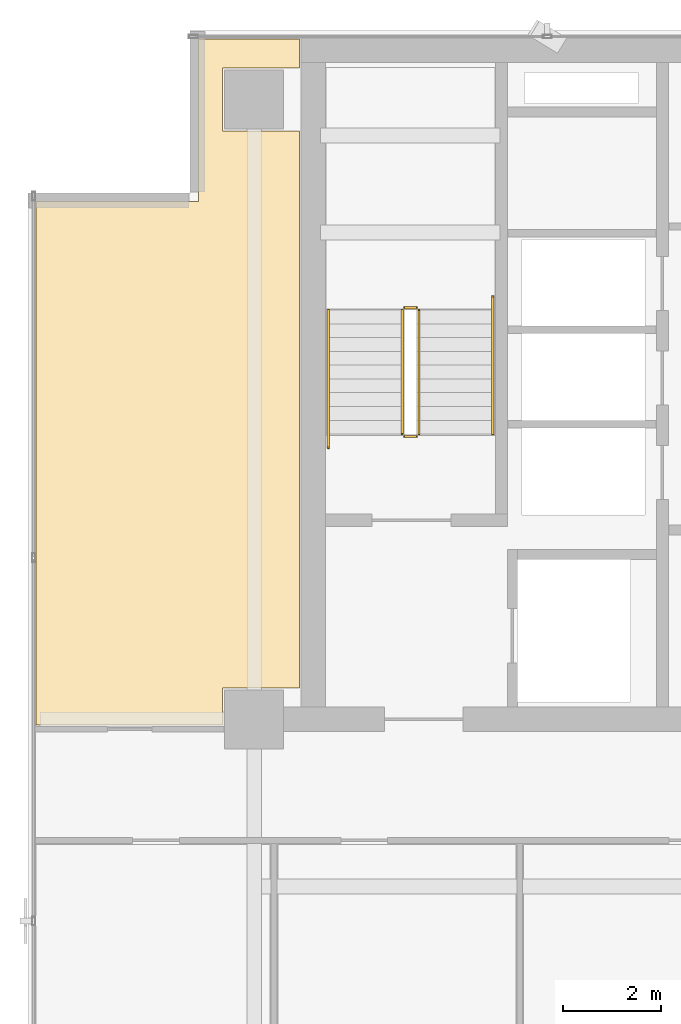
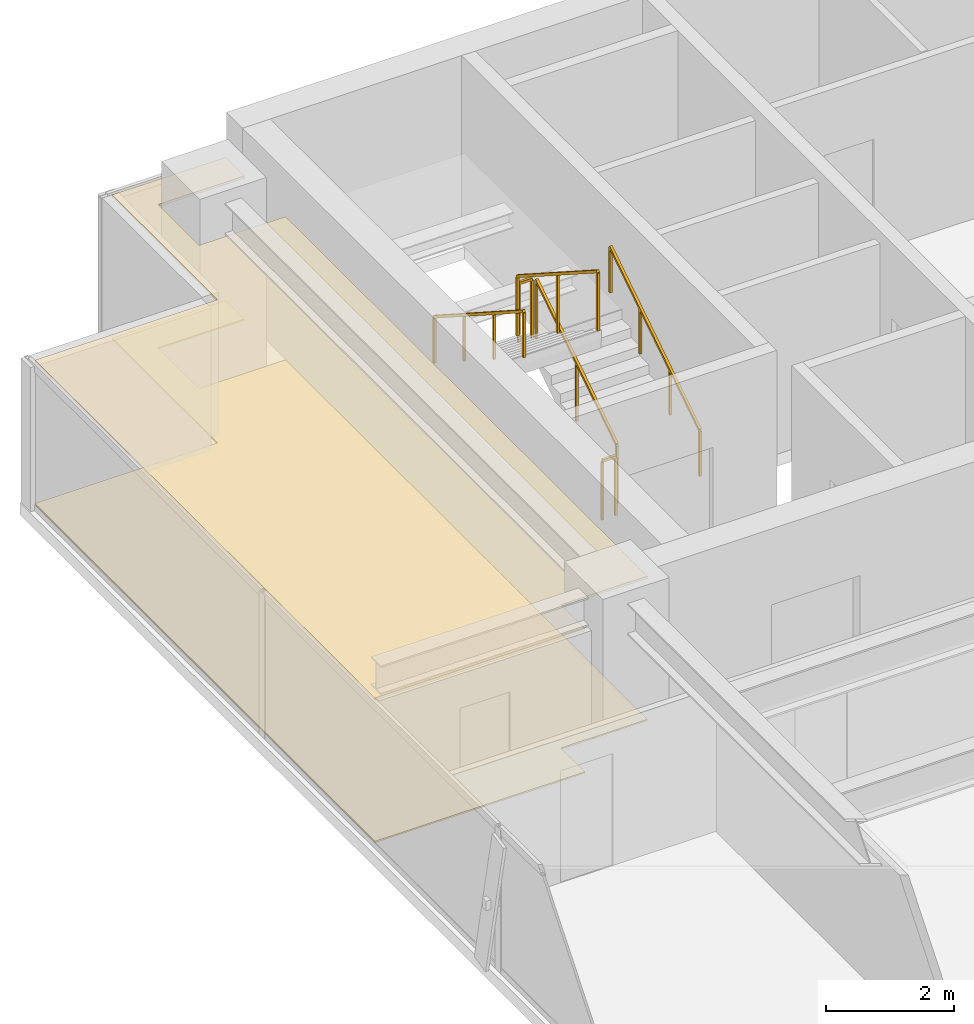
# One storey, part 20 of 23: 6 railings, 2 coverings.
"""IFC4 building model written with IfcOpenShell, lengths in metres."""

from ifc_helpers import new_model, si_unit, direction, frame, origin, origin_2d, place, context, subcontext, project, spatial, polyline, rectangle, outline, extrude, material, layer, layer_set, type_object, element, save


model = new_model("IFC4")

# Units and contexts
model_context = context("Model", 3, precision=1e-05, world=origin(), true_north=direction((0.0, 1.0)))
body_context = subcontext(model_context, "Body", "Model", "MODEL_VIEW")
ifc_project = project(units=[si_unit("LENGTHUNIT", "METRE"), si_unit("AREAUNIT", "SQUARE_METRE"), si_unit("VOLUMEUNIT", "CUBIC_METRE"), si_unit("PLANEANGLEUNIT", "RADIAN"), si_unit("MASSUNIT", "GRAM", prefix="KILO")], contexts=[model_context])

# Site, building, storey
site_placement = place(None, origin())
site = spatial("IfcSite", under=ifc_project, at=site_placement, CompositionType="ELEMENT")
building_placement = place(site_placement, origin())
building = spatial("IfcBuilding", under=site, at=building_placement, Name="Sumidabori Civic Tower", CompositionType="ELEMENT")
storey_placement = place(building_placement, frame((0.0, 0.0, 275.60009765625)))
storey = spatial("IfcBuildingStorey", under=building, at=storey_placement, Name="L72", CompositionType="ELEMENT", Elevation=275.60009765625)

# Coverings
ifc_material_1 = material(Name="Perforated Timber Acoustic Ceiling", Category="wood")
ifc_layer_1 = layer(ifc_material_1, 0.044921875, Name="Perforated Timber Acoustic Ceiling")
ifc_layer_set_1 = layer_set([ifc_layer_1], Name="Perforated Timber Acoustic Ceiling")
covering_type_1 = type_object("IfcCoveringType", Name="CV-CEIL-AC2", PredefinedType="CEILING", material=ifc_layer_set_1)
covering_1_placement = place(storey_placement, frame((0.0, 0.0, 2.719970703125)))
element("IfcCovering", 1, at=covering_1_placement, inside=storey, type_object=covering_type_1, Name="Room Acoustic Ceiling L72-01", PredefinedType="CEILING", context=body_context, shape_type="SweptSolid", body=[
    extrude(outline(polyline([(-21.22998046875, 10.090087890625), (-21.22998046875, 20.72998046875), (-17.929931640625, 20.72998046875), (-17.929931640625, 24.030029296875), (-15.8779296875, 24.030029296875), (-15.8779296875, 23.43994140625), (-17.43994140625, 23.43994140625), (-17.43994140625, 22.159912109375), (-15.8779296875, 22.159912109375), (-15.8779296875, 10.840087890625), (-17.43994140625, 10.840087890625), (-17.43994140625, 10.090087890625), (-21.22998046875, 10.090087890625)])), origin(), (0.0, 0.0, 1.0), 0.044921875),
])
ifc_material_2 = material(Name="Honed Terrazzo Tile Flooring")
ifc_layer_2 = layer(ifc_material_2, 0.030029296875, Name="Honed Terrazzo Tile Flooring")
ifc_layer_set_2 = layer_set([ifc_layer_2], Name="Honed Terrazzo Tile Flooring")
covering_type_2 = type_object("IfcCoveringType", Name="CV-FLR-TER", PredefinedType="FLOORING", material=ifc_layer_set_2)
covering_2_placement = place(storey_placement, origin())
element("IfcCovering", 2, at=covering_2_placement, inside=storey, type_object=covering_type_2, Name="Room Terrazzo Floor L72-01", PredefinedType="FLOORING", context=body_context, shape_type="SweptSolid", body=[
    extrude(outline(polyline([(-21.22998046875, 10.090087890625), (-21.22998046875, 20.72998046875), (-17.929931640625, 20.72998046875), (-17.929931640625, 24.030029296875), (-15.8779296875, 24.030029296875), (-15.8779296875, 23.43994140625), (-17.43994140625, 23.43994140625), (-17.43994140625, 22.159912109375), (-15.8779296875, 22.159912109375), (-15.8779296875, 10.840087890625), (-17.43994140625, 10.840087890625), (-17.43994140625, 10.090087890625), (-21.22998046875, 10.090087890625)])), origin(), (0.0, 0.0, 1.0), 0.02978515625),
])

# Railings
ifc_material_3 = material(Name="Stainless Steel Hairline Finish", Category="steel")
railing_type_1 = type_object("IfcRailingType", Name="RL-HANDRAIL", PredefinedType="HANDRAIL", material=ifc_material_3)
railing_1_placement = place(storey_placement, frame((-11.949951171875, 16.0, 0.179931640625)))
element("IfcRailing", 3, at=railing_1_placement, inside=storey, type_object=railing_type_1, Name="L72 ST-1 stair handrail 1", PredefinedType="HANDRAIL", context=body_context, shape_type="SweptSolid", body=[
    extrude(rectangle(XDim=0.048095703125, YDim=0.048095703125, at=origin_2d()), frame((0.0, 0.0, 0.8759765625), z_axis=(0.0, 0.840675598268, 0.541539046124), x_axis=(-1.0, 0.0, 0.0)), (0.0, 0.0, 1.0), 3.330810546875),
    extrude(rectangle(XDim=0.0419921875, YDim=0.0419921875, at=origin_2d()), origin(), (0.0, 0.0, 1.0), 0.851806640625),
    extrude(rectangle(XDim=0.0419921875, YDim=0.0419921875, at=origin_2d()), frame((0.0, 0.933349609375, 0.601318359375)), (0.0, 0.0, 1.0), 0.851806640625),
    extrude(rectangle(XDim=0.0419921875, YDim=0.0419921875, at=origin_2d()), frame((0.0, 1.86669921875, 1.202392578125)), (0.0, 0.0, 1.0), 0.851806640625),
    extrude(rectangle(XDim=0.0419921875, YDim=0.0419921875, at=origin_2d()), frame((0.0, 2.800048828125, 1.8037109375)), (0.0, 0.0, 1.0), 0.851806640625),
])
railing_2_placement = place(storey_placement, frame((-15.2900390625, 18.52001953125, 1.97998046875)))
element("IfcRailing", 4, at=railing_2_placement, inside=storey, type_object=railing_type_1, Name="L72 ST-1 stair handrail 2", PredefinedType="HANDRAIL", context=body_context, shape_type="SweptSolid", body=[
    extrude(rectangle(XDim=0.048095703125, YDim=0.048095703125, at=origin_2d()), frame((0.0, 0.0, 0.8759765625), z_axis=(0.0, -0.840675598268, 0.541539046124), x_axis=(1.0, 0.0, 0.0)), (0.0, 0.0, 1.0), 3.330810546875),
    extrude(rectangle(XDim=0.0419921875, YDim=0.0419921875, at=origin_2d()), origin(), (0.0, 0.0, 1.0), 0.851806640625),
    extrude(rectangle(XDim=0.0419921875, YDim=0.0419921875, at=origin_2d()), frame((0.0, -0.933349609375, 0.601318359375)), (0.0, 0.0, 1.0), 0.851806640625),
    extrude(rectangle(XDim=0.0419921875, YDim=0.0419921875, at=origin_2d()), frame((0.0, -1.86669921875, 1.202392578125)), (0.0, 0.0, 1.0), 0.851806640625),
    extrude(rectangle(XDim=0.0419921875, YDim=0.0419921875, at=origin_2d()), frame((0.0, -2.800048828125, 1.8037109375)), (0.0, 0.0, 1.0), 0.851806640625),
])
ifc_material_4 = material(Name="Steel SN490", Category="steel")
railing_type_2 = type_object("IfcRailingType", Name="RL-STAIR-GUARD", PredefinedType="GUARDRAIL", material=ifc_material_4)
railing_3_placement = place(storey_placement, frame((-13.449951171875, 16.0, 0.179931640625)))
element("IfcRailing", 5, at=railing_3_placement, inside=storey, type_object=railing_type_2, Name="L72 ST-1 stair guard 1", PredefinedType="GUARDRAIL", context=body_context, shape_type="SweptSolid", body=[
    extrude(rectangle(XDim=0.048095703125, YDim=0.048095703125, at=origin_2d()), frame((0.0, 0.0, 1.1259765625), z_axis=(0.0, 0.841199657755, 0.540724639528), x_axis=(-1.0, 0.0, 0.0)), (0.0, 0.0, 1.0), 2.995849609375),
    extrude(rectangle(XDim=0.0419921875, YDim=0.0419921875, at=origin_2d()), origin(), (0.0, 0.0, 1.0), 1.101806640625),
    extrude(rectangle(XDim=0.0419921875, YDim=0.0419921875, at=origin_2d()), frame((0.0, 1.260009765625, 0.81005859375)), (0.0, 0.0, 1.0), 1.101806640625),
    extrude(rectangle(XDim=0.0419921875, YDim=0.0419921875, at=origin_2d()), frame((0.0, 2.52001953125, 1.619873046875)), (0.0, 0.0, 1.0), 1.101806640625),
])
railing_4_placement = place(storey_placement, frame((-13.5, 18.570068359375, 1.7998046875)))
element("IfcRailing", 6, at=railing_4_placement, inside=storey, type_object=railing_type_2, Name="L72 ST-1 stair guard 2", PredefinedType="GUARDRAIL", context=body_context, shape_type="SweptSolid", body=[
    extrude(rectangle(XDim=0.048095703125, YDim=0.048095703125, at=origin_2d()), frame((0.0, 0.0, 1.1259765625), z_axis=(-1.0, 0.0, 0.0), x_axis=(0.0, -1.0, 0.0)), (0.0, 0.0, 1.0), 0.239990234375),
    extrude(rectangle(XDim=0.0419921875, YDim=0.0419921875, at=origin_2d()), origin(), (0.0, 0.0, 1.0), 1.101806640625),
    extrude(rectangle(XDim=0.0419921875, YDim=0.0419921875, at=origin_2d()), frame((-0.239990234375, 0.0, 0.0)), (0.0, 0.0, 1.0), 1.101806640625),
])
railing_5_placement = place(storey_placement, frame((-13.7900390625, 18.52001953125, 1.97998046875)))
element("IfcRailing", 7, at=railing_5_placement, inside=storey, type_object=railing_type_2, Name="L72 ST-1 stair guard 3", PredefinedType="GUARDRAIL", context=body_context, shape_type="SweptSolid", body=[
    extrude(rectangle(XDim=0.048095703125, YDim=0.048095703125, at=origin_2d()), frame((0.0, 0.0, 1.1259765625), z_axis=(0.0, -0.841199657755, 0.540724639528), x_axis=(1.0, 0.0, 0.0)), (0.0, 0.0, 1.0), 2.995849609375),
    extrude(rectangle(XDim=0.0419921875, YDim=0.0419921875, at=origin_2d()), origin(), (0.0, 0.0, 1.0), 1.101806640625),
    extrude(rectangle(XDim=0.0419921875, YDim=0.0419921875, at=origin_2d()), frame((0.0, -1.260009765625, 0.81005859375)), (0.0, 0.0, 1.0), 1.101806640625),
    extrude(rectangle(XDim=0.0419921875, YDim=0.0419921875, at=origin_2d()), frame((0.0, -2.52001953125, 1.619873046875)), (0.0, 0.0, 1.0), 1.101806640625),
])
railing_6_placement = place(storey_placement, frame((-13.5, 15.949951171875, 0.0)))
element("IfcRailing", 8, at=railing_6_placement, inside=storey, type_object=railing_type_2, Name="L72 ST-1 stair guard 4", PredefinedType="GUARDRAIL", context=body_context, shape_type="SweptSolid", body=[
    extrude(rectangle(XDim=0.048095703125, YDim=0.048095703125, at=origin_2d()), frame((0.0, 0.0, 1.1259765625), z_axis=(-1.0, 0.0, 0.0), x_axis=(0.0, -1.0, 0.0)), (0.0, 0.0, 1.0), 0.239990234375),
    extrude(rectangle(XDim=0.0419921875, YDim=0.0419921875, at=origin_2d()), origin(), (0.0, 0.0, 1.0), 1.101806640625),
    extrude(rectangle(XDim=0.0419921875, YDim=0.0419921875, at=origin_2d()), frame((-0.239990234375, 0.0, 0.0)), (0.0, 0.0, 1.0), 1.101806640625),
])

save(model, "model.ifc")
